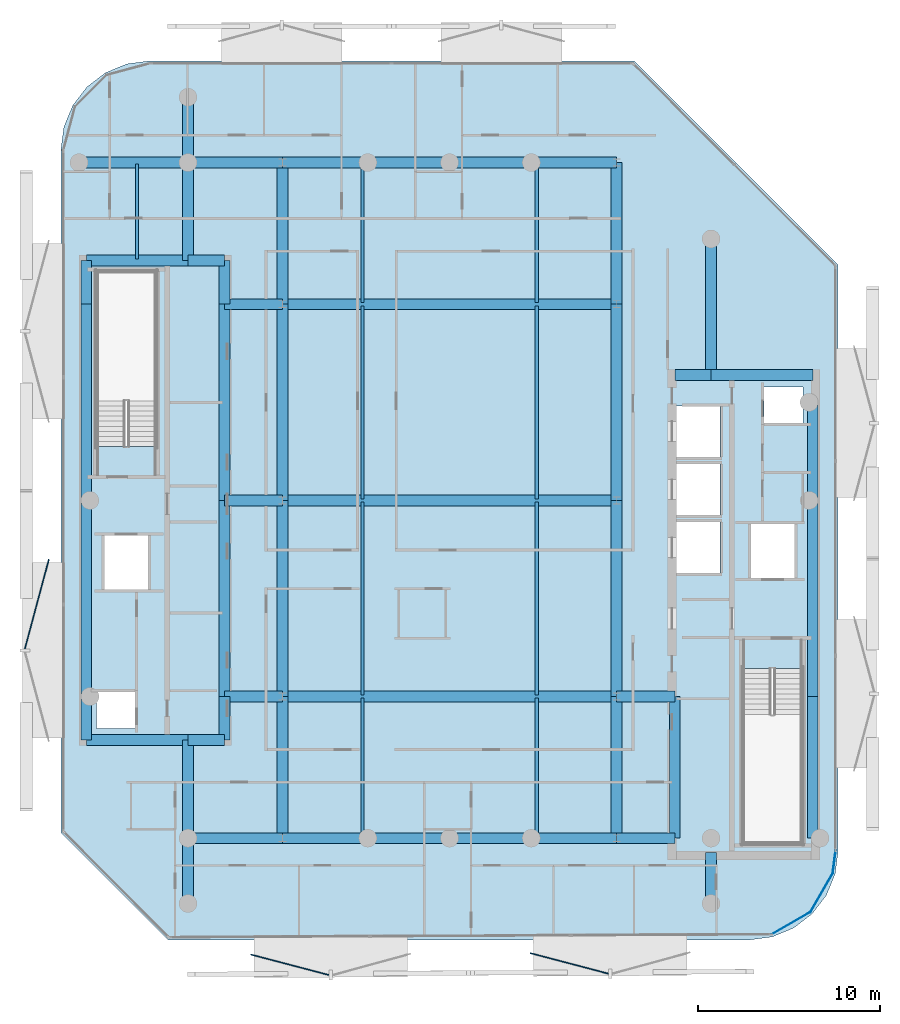
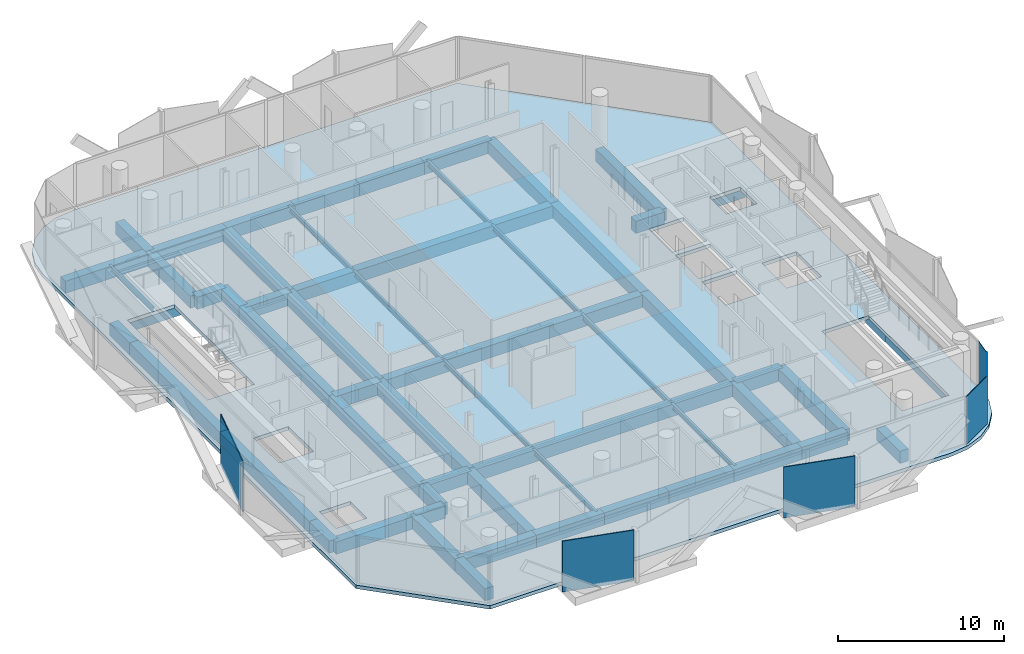
# One storey, part 3 of 15: 60 beams, 6 plates, 1 slab.
"""IFC4 building model written with IfcOpenShell, lengths in metres."""

from ifc_helpers import new_model, si_unit, direction, frame, origin, origin_2d, place, context, subcontext, project, spatial, polyline, rectangle, i_section, outline, extrude, material, layer, layer_set, material_profile, profile_set, type_object, element, save


model = new_model("IFC4")

# Units and contexts
model_context = context("Model", 3, precision=1e-05, world=origin(), true_north=direction((0.0, 1.0)))
body_context = subcontext(model_context, "Body", "Model", "MODEL_VIEW")
ifc_project = project(units=[si_unit("LENGTHUNIT", "METRE"), si_unit("AREAUNIT", "SQUARE_METRE"), si_unit("VOLUMEUNIT", "CUBIC_METRE"), si_unit("PLANEANGLEUNIT", "RADIAN"), si_unit("MASSUNIT", "GRAM", prefix="KILO")], contexts=[model_context])

# Site, building, storey
site_placement = place(None, origin())
site = spatial("IfcSite", under=ifc_project, at=site_placement, CompositionType="ELEMENT")
building_placement = place(site_placement, origin())
building = spatial("IfcBuilding", under=site, at=building_placement, Name="Khairoan Windgate Tower", CompositionType="ELEMENT")
storey_placement = place(building_placement, frame((0.0, 0.0, 285.199951171875)))
storey = spatial("IfcBuildingStorey", under=building, at=storey_placement, Name="L68", CompositionType="ELEMENT", Elevation=285.199951171875)

# Beams
ifc_material_1 = material(Name="Concrete C50/60", Category="concrete")
ifc_material_profile_1 = material_profile(ifc_material_1, rectangle(XDim=0.60009765625, YDim=0.89990234375, at=origin_2d()))
ifc_profile_set_1 = profile_set([ifc_material_profile_1], Name="Concrete C50/60")
beam_type_1 = type_object("IfcBeamType", Name="Beam B-RC1 RC600x900", PredefinedType="BEAM", material=ifc_profile_set_1)
beam_1_placement = place(storey_placement, frame((-14.39990234375, -18.60009765625, -0.7099609375), z_axis=(1.0, 0.0, 0.0), x_axis=(0.0, 1.0, 0.0)))
element("IfcBeam", 1, at=beam_1_placement, inside=storey, type_object=beam_type_1, Name="L68 E-W Primary Girder 01", PredefinedType="BEAM", context=body_context, shape_type="SweptSolid", body=[
    extrude(rectangle(XDim=0.60009765625, YDim=0.89990234375, at=origin_2d()), origin(), (0.0, 0.0, 1.0), 5.199951171875),
])
beam_2_placement = place(storey_placement, frame((-9.199951171875, -18.60009765625, -0.7099609375), z_axis=(1.0, 0.0, 0.0), x_axis=(0.0, 1.0, 0.0)))
element("IfcBeam", 2, at=beam_2_placement, inside=storey, type_object=beam_type_1, Name="L68 E-W Primary Girder 02", PredefinedType="BEAM", context=body_context, shape_type="SweptSolid", body=[
    extrude(rectangle(XDim=0.60009765625, YDim=0.89990234375, at=origin_2d()), origin(), (0.0, 0.0, 1.0), 4.699951171875),
])
for number, where, z_axis, x_axis, name in (
    (3, (-4.5, -18.60009765625, -0.7099609375), (1.0, 0.0, 0.0), (0.0, 1.0, 0.0), "L68 E-W Primary Girder 03"),
    (4, (0.0, -18.60009765625, -0.7099609375), (1.0, 0.0, 0.0), (0.0, 1.0, 0.0), "L68 E-W Primary Girder 04"),
):
    element("IfcBeam", number, at=place(storey_placement, frame(where, z_axis=z_axis, x_axis=x_axis)), inside=storey, type_object=beam_type_1, Name=name, PredefinedType="BEAM", context=body_context, shape_type="SweptSolid", body=[
        extrude(rectangle(XDim=0.60009765625, YDim=0.89990234375, at=origin_2d()), origin(), (0.0, 0.0, 1.0), 4.5),
    ])
beam_3_placement = place(storey_placement, frame((4.5, -18.60009765625, -0.7099609375), z_axis=(1.0, 0.0, 0.0), x_axis=(0.0, 1.0, 0.0)))
element("IfcBeam", 5, at=beam_3_placement, inside=storey, type_object=beam_type_1, Name="L68 E-W Primary Girder 05", PredefinedType="BEAM", context=body_context, shape_type="SweptSolid", body=[
    extrude(rectangle(XDim=0.60009765625, YDim=0.89990234375, at=origin_2d()), origin(), (0.0, 0.0, 1.0), 4.699951171875),
])
beam_4_placement = place(storey_placement, frame((9.199951171875, -18.60009765625, -0.7099609375), z_axis=(1.0, 0.0, 0.0), x_axis=(0.0, 1.0, 0.0)))
element("IfcBeam", 6, at=beam_4_placement, inside=storey, type_object=beam_type_1, Name="L68 E-W Primary Girder 06", PredefinedType="BEAM", context=body_context, shape_type="SweptSolid", body=[
    extrude(rectangle(XDim=0.60009765625, YDim=0.89990234375, at=origin_2d()), origin(), (0.0, 0.0, 1.0), 3.199951171875),
])
beam_5_placement = place(storey_placement, frame((-20.0, -13.199951171875, -0.7099609375), z_axis=(1.0, 0.0, 0.0), x_axis=(0.0, 1.0, 0.0)))
element("IfcBeam", 7, at=beam_5_placement, inside=storey, type_object=beam_type_1, Name="L68 E-W Primary Girder 07", PredefinedType="BEAM", context=body_context, shape_type="SweptSolid", body=[
    extrude(rectangle(XDim=0.60009765625, YDim=0.89990234375, at=origin_2d()), origin(), (0.0, 0.0, 1.0), 5.60009765625),
])
beam_6_placement = place(storey_placement, frame((-14.39990234375, -13.199951171875, -0.7099609375), z_axis=(1.0, 0.0, 0.0), x_axis=(0.0, 1.0, 0.0)))
element("IfcBeam", 8, at=beam_6_placement, inside=storey, type_object=beam_type_1, Name="L68 E-W Primary Girder 08", PredefinedType="BEAM", context=body_context, shape_type="SweptSolid", body=[
    extrude(rectangle(XDim=0.60009765625, YDim=0.89990234375, at=origin_2d()), origin(), (0.0, 0.0, 1.0), 2.0),
])
beam_7_placement = place(storey_placement, frame((-12.39990234375, -10.800048828125, -0.7099609375), z_axis=(1.0, 0.0, 0.0), x_axis=(0.0, 1.0, 0.0)))
element("IfcBeam", 9, at=beam_7_placement, inside=storey, type_object=beam_type_1, Name="L68 E-W Primary Girder 09", PredefinedType="BEAM", context=body_context, shape_type="SweptSolid", body=[
    extrude(rectangle(XDim=0.60009765625, YDim=0.89990234375, at=origin_2d()), origin(), (0.0, 0.0, 1.0), 3.199951171875),
])
beam_8_placement = place(storey_placement, frame((-9.199951171875, -10.800048828125, -0.7099609375), z_axis=(1.0, 0.0, 0.0), x_axis=(0.0, 1.0, 0.0)))
element("IfcBeam", 10, at=beam_8_placement, inside=storey, type_object=beam_type_1, Name="L68 E-W Primary Girder 10", PredefinedType="BEAM", context=body_context, shape_type="SweptSolid", body=[
    extrude(rectangle(XDim=0.60009765625, YDim=0.89990234375, at=origin_2d()), origin(), (0.0, 0.0, 1.0), 18.39990234375),
])
for number, where, z_axis, x_axis, name in (
    (11, (9.199951171875, -10.800048828125, -0.7099609375), (1.0, 0.0, 0.0), (0.0, 1.0, 0.0), "L68 E-W Primary Girder 11"),
    (12, (-12.39990234375, 0.0, -0.7099609375), (1.0, 0.0, 0.0), (0.0, 1.0, 0.0), "L68 E-W Primary Girder 12"),
):
    element("IfcBeam", number, at=place(storey_placement, frame(where, z_axis=z_axis, x_axis=x_axis)), inside=storey, type_object=beam_type_1, Name=name, PredefinedType="BEAM", context=body_context, shape_type="SweptSolid", body=[
        extrude(rectangle(XDim=0.60009765625, YDim=0.89990234375, at=origin_2d()), origin(), (0.0, 0.0, 1.0), 3.199951171875),
    ])
beam_9_placement = place(storey_placement, frame((-9.199951171875, 0.0, -0.7099609375), z_axis=(1.0, 0.0, 0.0), x_axis=(0.0, 1.0, 0.0)))
element("IfcBeam", 13, at=beam_9_placement, inside=storey, type_object=beam_type_1, Name="L68 E-W Primary Girder 13", PredefinedType="BEAM", context=body_context, shape_type="SweptSolid", body=[
    extrude(rectangle(XDim=0.60009765625, YDim=0.89990234375, at=origin_2d()), origin(), (0.0, 0.0, 1.0), 18.39990234375),
])
beam_10_placement = place(storey_placement, frame((12.39990234375, 6.89990234375, -0.7099609375), z_axis=(1.0, 0.0, 0.0), x_axis=(0.0, 1.0, 0.0)))
element("IfcBeam", 14, at=beam_10_placement, inside=storey, type_object=beam_type_1, Name="L68 E-W Primary Girder 14", PredefinedType="BEAM", context=body_context, shape_type="SweptSolid", body=[
    extrude(rectangle(XDim=0.60009765625, YDim=0.89990234375, at=origin_2d()), origin(), (0.0, 0.0, 1.0), 2.0),
])
beam_11_placement = place(storey_placement, frame((14.39990234375, 6.89990234375, -0.7099609375), z_axis=(1.0, 0.0, 0.0), x_axis=(0.0, 1.0, 0.0)))
element("IfcBeam", 15, at=beam_11_placement, inside=storey, type_object=beam_type_1, Name="L68 E-W Primary Girder 15", PredefinedType="BEAM", context=body_context, shape_type="SweptSolid", body=[
    extrude(rectangle(XDim=0.60009765625, YDim=0.89990234375, at=origin_2d()), origin(), (0.0, 0.0, 1.0), 5.60009765625),
])
beam_12_placement = place(storey_placement, frame((-12.39990234375, 10.800048828125, -0.7099609375), z_axis=(1.0, 0.0, 0.0), x_axis=(0.0, 1.0, 0.0)))
element("IfcBeam", 16, at=beam_12_placement, inside=storey, type_object=beam_type_1, Name="L68 E-W Primary Girder 16", PredefinedType="BEAM", context=body_context, shape_type="SweptSolid", body=[
    extrude(rectangle(XDim=0.60009765625, YDim=0.89990234375, at=origin_2d()), origin(), (0.0, 0.0, 1.0), 3.199951171875),
])
beam_13_placement = place(storey_placement, frame((-9.199951171875, 10.800048828125, -0.7099609375), z_axis=(1.0, 0.0, 0.0), x_axis=(0.0, 1.0, 0.0)))
element("IfcBeam", 17, at=beam_13_placement, inside=storey, type_object=beam_type_1, Name="L68 E-W Primary Girder 17", PredefinedType="BEAM", context=body_context, shape_type="SweptSolid", body=[
    extrude(rectangle(XDim=0.60009765625, YDim=0.89990234375, at=origin_2d()), origin(), (0.0, 0.0, 1.0), 18.39990234375),
])
beam_14_placement = place(storey_placement, frame((-20.0, 13.199951171875, -0.7099609375), z_axis=(1.0, 0.0, 0.0), x_axis=(0.0, 1.0, 0.0)))
element("IfcBeam", 18, at=beam_14_placement, inside=storey, type_object=beam_type_1, Name="L68 E-W Primary Girder 18", PredefinedType="BEAM", context=body_context, shape_type="SweptSolid", body=[
    extrude(rectangle(XDim=0.60009765625, YDim=0.89990234375, at=origin_2d()), origin(), (0.0, 0.0, 1.0), 5.60009765625),
])
beam_15_placement = place(storey_placement, frame((-14.39990234375, 13.199951171875, -0.7099609375), z_axis=(1.0, 0.0, 0.0), x_axis=(0.0, 1.0, 0.0)))
element("IfcBeam", 19, at=beam_15_placement, inside=storey, type_object=beam_type_1, Name="L68 E-W Primary Girder 19", PredefinedType="BEAM", context=body_context, shape_type="SweptSolid", body=[
    extrude(rectangle(XDim=0.60009765625, YDim=0.89990234375, at=origin_2d()), origin(), (0.0, 0.0, 1.0), 2.0),
])
beam_16_placement = place(storey_placement, frame((-20.39990234375, 18.60009765625, -0.7099609375), z_axis=(1.0, 0.0, 0.0), x_axis=(0.0, 1.0, 0.0)))
element("IfcBeam", 20, at=beam_16_placement, inside=storey, type_object=beam_type_1, Name="L68 E-W Primary Girder 20", PredefinedType="BEAM", context=body_context, shape_type="SweptSolid", body=[
    extrude(rectangle(XDim=0.60009765625, YDim=0.89990234375, at=origin_2d()), origin(), (0.0, 0.0, 1.0), 6.0),
])
beam_17_placement = place(storey_placement, frame((-14.39990234375, 18.60009765625, -0.7099609375), z_axis=(1.0, 0.0, 0.0), x_axis=(0.0, 1.0, 0.0)))
element("IfcBeam", 21, at=beam_17_placement, inside=storey, type_object=beam_type_1, Name="L68 E-W Primary Girder 21", PredefinedType="BEAM", context=body_context, shape_type="SweptSolid", body=[
    extrude(rectangle(XDim=0.60009765625, YDim=0.89990234375, at=origin_2d()), origin(), (0.0, 0.0, 1.0), 5.199951171875),
])
beam_18_placement = place(storey_placement, frame((-9.199951171875, 18.60009765625, -0.7099609375), z_axis=(1.0, 0.0, 0.0), x_axis=(0.0, 1.0, 0.0)))
element("IfcBeam", 22, at=beam_18_placement, inside=storey, type_object=beam_type_1, Name="L68 E-W Primary Girder 22", PredefinedType="BEAM", context=body_context, shape_type="SweptSolid", body=[
    extrude(rectangle(XDim=0.60009765625, YDim=0.89990234375, at=origin_2d()), origin(), (0.0, 0.0, 1.0), 4.699951171875),
])
for number, where, z_axis, x_axis, name in (
    (23, (-4.5, 18.60009765625, -0.7099609375), (1.0, 0.0, 0.0), (0.0, 1.0, 0.0), "L68 E-W Primary Girder 23"),
    (24, (0.0, 18.60009765625, -0.7099609375), (1.0, 0.0, 0.0), (0.0, 1.0, 0.0), "L68 E-W Primary Girder 24"),
):
    element("IfcBeam", number, at=place(storey_placement, frame(where, z_axis=z_axis, x_axis=x_axis)), inside=storey, type_object=beam_type_1, Name=name, PredefinedType="BEAM", context=body_context, shape_type="SweptSolid", body=[
        extrude(rectangle(XDim=0.60009765625, YDim=0.89990234375, at=origin_2d()), origin(), (0.0, 0.0, 1.0), 4.5),
    ])
beam_19_placement = place(storey_placement, frame((4.5, 18.60009765625, -0.7099609375), z_axis=(1.0, 0.0, 0.0), x_axis=(0.0, 1.0, 0.0)))
element("IfcBeam", 25, at=beam_19_placement, inside=storey, type_object=beam_type_1, Name="L68 E-W Primary Girder 25", PredefinedType="BEAM", context=body_context, shape_type="SweptSolid", body=[
    extrude(rectangle(XDim=0.60009765625, YDim=0.89990234375, at=origin_2d()), origin(), (0.0, 0.0, 1.0), 4.699951171875),
])
beam_20_placement = place(storey_placement, frame((-20.0, -13.199951171875, -0.7099609375), z_axis=(0.0, 1.0, 0.0), x_axis=(-1.0, 0.0, 0.0)))
element("IfcBeam", 26, at=beam_20_placement, inside=storey, type_object=beam_type_1, Name="L68 N-S Primary Beam 26", PredefinedType="BEAM", context=body_context, shape_type="SweptSolid", body=[
    extrude(rectangle(XDim=0.60009765625, YDim=0.89990234375, at=origin_2d()), origin(), (0.0, 0.0, 1.0), 2.39990234375),
])
for number, where, z_axis, x_axis, name in (
    (27, (-20.0, -10.800048828125, -0.7099609375), (0.0, 1.0, 0.0), (-1.0, 0.0, 0.0), "L68 N-S Primary Beam 27"),
    (28, (-20.0, 0.0, -0.7099609375), (0.0, 1.0, 0.0), (-1.0, 0.0, 0.0), "L68 N-S Primary Beam 28"),
):
    element("IfcBeam", number, at=place(storey_placement, frame(where, z_axis=z_axis, x_axis=x_axis)), inside=storey, type_object=beam_type_1, Name=name, PredefinedType="BEAM", context=body_context, shape_type="SweptSolid", body=[
        extrude(rectangle(XDim=0.60009765625, YDim=0.89990234375, at=origin_2d()), origin(), (0.0, 0.0, 1.0), 10.800048828125),
    ])
beam_21_placement = place(storey_placement, frame((-20.0, 10.800048828125, -0.7099609375), z_axis=(0.0, 1.0, 0.0), x_axis=(-1.0, 0.0, 0.0)))
element("IfcBeam", 29, at=beam_21_placement, inside=storey, type_object=beam_type_1, Name="L68 N-S Primary Beam 29", PredefinedType="BEAM", context=body_context, shape_type="SweptSolid", body=[
    extrude(rectangle(XDim=0.60009765625, YDim=0.89990234375, at=origin_2d()), origin(), (0.0, 0.0, 1.0), 2.39990234375),
])
beam_22_placement = place(storey_placement, frame((-14.39990234375, -22.199951171875, -0.7099609375), z_axis=(0.0, 1.0, 0.0), x_axis=(-1.0, 0.0, 0.0)))
element("IfcBeam", 30, at=beam_22_placement, inside=storey, type_object=beam_type_1, Name="L68 N-S Primary Beam 30", PredefinedType="BEAM", context=body_context, shape_type="SweptSolid", body=[
    extrude(rectangle(XDim=0.60009765625, YDim=0.89990234375, at=origin_2d()), origin(), (0.0, 0.0, 1.0), 3.599853515625),
])
for number, where, z_axis, x_axis, name in (
    (31, (-14.39990234375, -18.60009765625, -0.7099609375), (0.0, 1.0, 0.0), (-1.0, 0.0, 0.0), "L68 N-S Primary Beam 31"),
    (32, (-14.39990234375, 13.199951171875, -0.7099609375), (0.0, 1.0, 0.0), (-1.0, 0.0, 0.0), "L68 N-S Primary Beam 32"),
):
    element("IfcBeam", number, at=place(storey_placement, frame(where, z_axis=z_axis, x_axis=x_axis)), inside=storey, type_object=beam_type_1, Name=name, PredefinedType="BEAM", context=body_context, shape_type="SweptSolid", body=[
        extrude(rectangle(XDim=0.60009765625, YDim=0.89990234375, at=origin_2d()), origin(), (0.0, 0.0, 1.0), 5.400146484375),
    ])
beam_23_placement = place(storey_placement, frame((-14.39990234375, 18.60009765625, -0.7099609375), z_axis=(0.0, 1.0, 0.0), x_axis=(-1.0, 0.0, 0.0)))
element("IfcBeam", 33, at=beam_23_placement, inside=storey, type_object=beam_type_1, Name="L68 N-S Primary Beam 33", PredefinedType="BEAM", context=body_context, shape_type="SweptSolid", body=[
    extrude(rectangle(XDim=0.60009765625, YDim=0.89990234375, at=origin_2d()), origin(), (0.0, 0.0, 1.0), 3.599853515625),
])
beam_24_placement = place(storey_placement, frame((-12.39990234375, -13.199951171875, -0.7099609375), z_axis=(0.0, 1.0, 0.0), x_axis=(-1.0, 0.0, 0.0)))
element("IfcBeam", 34, at=beam_24_placement, inside=storey, type_object=beam_type_1, Name="L68 N-S Primary Beam 34", PredefinedType="BEAM", context=body_context, shape_type="SweptSolid", body=[
    extrude(rectangle(XDim=0.60009765625, YDim=0.89990234375, at=origin_2d()), origin(), (0.0, 0.0, 1.0), 2.39990234375),
])
for number, where, z_axis, x_axis, name in (
    (35, (-12.39990234375, -10.800048828125, -0.7099609375), (0.0, 1.0, 0.0), (-1.0, 0.0, 0.0), "L68 N-S Primary Beam 35"),
    (36, (-12.39990234375, 0.0, -0.7099609375), (0.0, 1.0, 0.0), (-1.0, 0.0, 0.0), "L68 N-S Primary Beam 36"),
):
    element("IfcBeam", number, at=place(storey_placement, frame(where, z_axis=z_axis, x_axis=x_axis)), inside=storey, type_object=beam_type_1, Name=name, PredefinedType="BEAM", context=body_context, shape_type="SweptSolid", body=[
        extrude(rectangle(XDim=0.60009765625, YDim=0.89990234375, at=origin_2d()), origin(), (0.0, 0.0, 1.0), 10.800048828125),
    ])
beam_25_placement = place(storey_placement, frame((-12.39990234375, 10.800048828125, -0.7099609375), z_axis=(0.0, 1.0, 0.0), x_axis=(-1.0, 0.0, 0.0)))
element("IfcBeam", 37, at=beam_25_placement, inside=storey, type_object=beam_type_1, Name="L68 N-S Primary Beam 37", PredefinedType="BEAM", context=body_context, shape_type="SweptSolid", body=[
    extrude(rectangle(XDim=0.60009765625, YDim=0.89990234375, at=origin_2d()), origin(), (0.0, 0.0, 1.0), 2.39990234375),
])
beam_26_placement = place(storey_placement, frame((-9.199951171875, -18.60009765625, -0.7099609375), z_axis=(0.0, 1.0, 0.0), x_axis=(-1.0, 0.0, 0.0)))
element("IfcBeam", 38, at=beam_26_placement, inside=storey, type_object=beam_type_1, Name="L68 N-S Primary Beam 38", PredefinedType="BEAM", context=body_context, shape_type="SweptSolid", body=[
    extrude(rectangle(XDim=0.60009765625, YDim=0.89990234375, at=origin_2d()), origin(), (0.0, 0.0, 1.0), 7.800048828125),
])
for number, where, z_axis, x_axis, name in (
    (39, (-9.199951171875, -10.800048828125, -0.7099609375), (0.0, 1.0, 0.0), (-1.0, 0.0, 0.0), "L68 N-S Primary Beam 39"),
    (40, (-9.199951171875, 0.0, -0.7099609375), (0.0, 1.0, 0.0), (-1.0, 0.0, 0.0), "L68 N-S Primary Beam 40"),
):
    element("IfcBeam", number, at=place(storey_placement, frame(where, z_axis=z_axis, x_axis=x_axis)), inside=storey, type_object=beam_type_1, Name=name, PredefinedType="BEAM", context=body_context, shape_type="SweptSolid", body=[
        extrude(rectangle(XDim=0.60009765625, YDim=0.89990234375, at=origin_2d()), origin(), (0.0, 0.0, 1.0), 10.800048828125),
    ])
for number, where, z_axis, x_axis, name in (
    (41, (-9.199951171875, 10.800048828125, -0.7099609375), (0.0, 1.0, 0.0), (-1.0, 0.0, 0.0), "L68 N-S Primary Beam 41"),
    (42, (9.199951171875, -18.60009765625, -0.7099609375), (0.0, 1.0, 0.0), (-1.0, 0.0, 0.0), "L68 N-S Primary Beam 42"),
):
    element("IfcBeam", number, at=place(storey_placement, frame(where, z_axis=z_axis, x_axis=x_axis)), inside=storey, type_object=beam_type_1, Name=name, PredefinedType="BEAM", context=body_context, shape_type="SweptSolid", body=[
        extrude(rectangle(XDim=0.60009765625, YDim=0.89990234375, at=origin_2d()), origin(), (0.0, 0.0, 1.0), 7.800048828125),
    ])
for number, where, z_axis, x_axis, name in (
    (43, (9.199951171875, -10.800048828125, -0.7099609375), (0.0, 1.0, 0.0), (-1.0, 0.0, 0.0), "L68 N-S Primary Beam 43"),
    (44, (9.199951171875, 0.0, -0.7099609375), (0.0, 1.0, 0.0), (-1.0, 0.0, 0.0), "L68 N-S Primary Beam 44"),
):
    element("IfcBeam", number, at=place(storey_placement, frame(where, z_axis=z_axis, x_axis=x_axis)), inside=storey, type_object=beam_type_1, Name=name, PredefinedType="BEAM", context=body_context, shape_type="SweptSolid", body=[
        extrude(rectangle(XDim=0.60009765625, YDim=0.89990234375, at=origin_2d()), origin(), (0.0, 0.0, 1.0), 10.800048828125),
    ])
for number, where, z_axis, x_axis, name in (
    (45, (9.199951171875, 10.800048828125, -0.7099609375), (0.0, 1.0, 0.0), (-1.0, 0.0, 0.0), "L68 N-S Primary Beam 45"),
    (46, (12.39990234375, -18.60009765625, -0.7099609375), (0.0, 1.0, 0.0), (-1.0, 0.0, 0.0), "L68 N-S Primary Beam 46"),
):
    element("IfcBeam", number, at=place(storey_placement, frame(where, z_axis=z_axis, x_axis=x_axis)), inside=storey, type_object=beam_type_1, Name=name, PredefinedType="BEAM", context=body_context, shape_type="SweptSolid", body=[
        extrude(rectangle(XDim=0.60009765625, YDim=0.89990234375, at=origin_2d()), origin(), (0.0, 0.0, 1.0), 7.800048828125),
    ])
beam_27_placement = place(storey_placement, frame((14.39990234375, -22.199951171875, -0.7099609375), z_axis=(0.0, 1.0, 0.0), x_axis=(-1.0, 0.0, 0.0)))
element("IfcBeam", 47, at=beam_27_placement, inside=storey, type_object=beam_type_1, Name="L68 N-S Primary Beam 47", PredefinedType="BEAM", context=body_context, shape_type="SweptSolid", body=[
    extrude(rectangle(XDim=0.60009765625, YDim=0.89990234375, at=origin_2d()), origin(), (0.0, 0.0, 1.0), 2.800048828125),
])
beam_28_placement = place(storey_placement, frame((14.39990234375, 6.89990234375, -0.7099609375), z_axis=(0.0, 1.0, 0.0), x_axis=(-1.0, 0.0, 0.0)))
element("IfcBeam", 48, at=beam_28_placement, inside=storey, type_object=beam_type_1, Name="L68 N-S Primary Beam 48", PredefinedType="BEAM", context=body_context, shape_type="SweptSolid", body=[
    extrude(rectangle(XDim=0.60009765625, YDim=0.89990234375, at=origin_2d()), origin(), (0.0, 0.0, 1.0), 7.5),
])
beam_29_placement = place(storey_placement, frame((20.0, -18.60009765625, -0.7099609375), z_axis=(0.0, 1.0, 0.0), x_axis=(-1.0, 0.0, 0.0)))
element("IfcBeam", 49, at=beam_29_placement, inside=storey, type_object=beam_type_1, Name="L68 N-S Primary Beam 49", PredefinedType="BEAM", context=body_context, shape_type="SweptSolid", body=[
    extrude(rectangle(XDim=0.60009765625, YDim=0.89990234375, at=origin_2d()), origin(), (0.0, 0.0, 1.0), 7.800048828125),
])
beam_30_placement = place(storey_placement, frame((20.0, -10.800048828125, -0.7099609375), z_axis=(0.0, 1.0, 0.0), x_axis=(-1.0, 0.0, 0.0)))
element("IfcBeam", 50, at=beam_30_placement, inside=storey, type_object=beam_type_1, Name="L68 N-S Primary Beam 50", PredefinedType="BEAM", context=body_context, shape_type="SweptSolid", body=[
    extrude(rectangle(XDim=0.60009765625, YDim=0.89990234375, at=origin_2d()), origin(), (0.0, 0.0, 1.0), 10.800048828125),
])
beam_31_placement = place(storey_placement, frame((20.0, 0.0, -0.7099609375), z_axis=(0.0, 1.0, 0.0), x_axis=(-1.0, 0.0, 0.0)))
element("IfcBeam", 51, at=beam_31_placement, inside=storey, type_object=beam_type_1, Name="L68 N-S Primary Beam 51", PredefinedType="BEAM", context=body_context, shape_type="SweptSolid", body=[
    extrude(rectangle(XDim=0.60009765625, YDim=0.89990234375, at=origin_2d()), origin(), (0.0, 0.0, 1.0), 5.39990234375),
])
ifc_material_2 = material(Name="Steel S355", Category="steel")
ifc_material_profile_2 = material_profile(ifc_material_2, i_section(OverallWidth=0.175048828125, OverallDepth=0.35009765625, WebThickness=0.007080078125, FlangeThickness=0.010986328125, FilletRadius=0.013916015625, at=origin_2d()))
ifc_profile_set_2 = profile_set([ifc_material_profile_2], Name="Steel S355")
beam_type_2 = type_object("IfcBeamType", Name="Beam J-S5 H350x175x7x11", PredefinedType="JOIST", material=ifc_profile_set_2)
beam_32_placement = place(storey_placement, frame((-17.199951171875, 13.2900390625, -0.43505859375), z_axis=(0.0, 1.0, 0.0), x_axis=(-1.0, 0.0, 0.0)))
element("IfcBeam", 52, at=beam_32_placement, inside=storey, type_object=beam_type_2, Name="L68 Secondary Floor Joist 01", PredefinedType="JOIST", context=body_context, shape_type="SweptSolid", body=[
    extrude(i_section(OverallWidth=0.175048828125, OverallDepth=0.35009765625, WebThickness=0.007080078125, FlangeThickness=0.010986328125, FilletRadius=0.013916015625, at=origin_2d()), origin(), (0.0, 0.0, 1.0), 5.219970703125),
])
beam_33_placement = place(storey_placement, frame((-4.800048828125, -18.510009765625, -0.43505859375), z_axis=(0.0, 1.0, 0.0), x_axis=(-1.0, 0.0, 0.0)))
element("IfcBeam", 53, at=beam_33_placement, inside=storey, type_object=beam_type_2, Name="L68 Secondary Floor Joist 02", PredefinedType="JOIST", context=body_context, shape_type="SweptSolid", body=[
    extrude(i_section(OverallWidth=0.175048828125, OverallDepth=0.35009765625, WebThickness=0.007080078125, FlangeThickness=0.010986328125, FilletRadius=0.013916015625, at=origin_2d()), origin(), (0.0, 0.0, 1.0), 7.6201171875),
])
for number, where, z_axis, x_axis, name in (
    (54, (-4.800048828125, -10.7099609375, -0.43505859375), (0.0, 1.0, 0.0), (-1.0, 0.0, 0.0), "L68 Secondary Floor Joist 03"),
    (55, (-4.800048828125, 0.090087890625, -0.43505859375), (0.0, 1.0, 0.0), (-1.0, 0.0, 0.0), "L68 Secondary Floor Joist 04"),
):
    element("IfcBeam", number, at=place(storey_placement, frame(where, z_axis=z_axis, x_axis=x_axis)), inside=storey, type_object=beam_type_2, Name=name, PredefinedType="JOIST", context=body_context, shape_type="SweptSolid", body=[
        extrude(i_section(OverallWidth=0.175048828125, OverallDepth=0.35009765625, WebThickness=0.007080078125, FlangeThickness=0.010986328125, FilletRadius=0.013916015625, at=origin_2d()), origin(), (0.0, 0.0, 1.0), 10.619873046875),
    ])
for number, where, z_axis, x_axis, name in (
    (56, (-4.800048828125, 10.889892578125, -0.43505859375), (0.0, 1.0, 0.0), (-1.0, 0.0, 0.0), "L68 Secondary Floor Joist 05"),
    (57, (4.800048828125, -18.510009765625, -0.43505859375), (0.0, 1.0, 0.0), (-1.0, 0.0, 0.0), "L68 Secondary Floor Joist 06"),
):
    element("IfcBeam", number, at=place(storey_placement, frame(where, z_axis=z_axis, x_axis=x_axis)), inside=storey, type_object=beam_type_2, Name=name, PredefinedType="JOIST", context=body_context, shape_type="SweptSolid", body=[
        extrude(i_section(OverallWidth=0.175048828125, OverallDepth=0.35009765625, WebThickness=0.007080078125, FlangeThickness=0.010986328125, FilletRadius=0.013916015625, at=origin_2d()), origin(), (0.0, 0.0, 1.0), 7.6201171875),
    ])
for number, where, z_axis, x_axis, name in (
    (58, (4.800048828125, -10.7099609375, -0.43505859375), (0.0, 1.0, 0.0), (-1.0, 0.0, 0.0), "L68 Secondary Floor Joist 07"),
    (59, (4.800048828125, 0.090087890625, -0.43505859375), (0.0, 1.0, 0.0), (-1.0, 0.0, 0.0), "L68 Secondary Floor Joist 08"),
):
    element("IfcBeam", number, at=place(storey_placement, frame(where, z_axis=z_axis, x_axis=x_axis)), inside=storey, type_object=beam_type_2, Name=name, PredefinedType="JOIST", context=body_context, shape_type="SweptSolid", body=[
        extrude(i_section(OverallWidth=0.175048828125, OverallDepth=0.35009765625, WebThickness=0.007080078125, FlangeThickness=0.010986328125, FilletRadius=0.013916015625, at=origin_2d()), origin(), (0.0, 0.0, 1.0), 10.619873046875),
    ])
beam_34_placement = place(storey_placement, frame((4.800048828125, 10.889892578125, -0.43505859375), z_axis=(0.0, 1.0, 0.0), x_axis=(-1.0, 0.0, 0.0)))
element("IfcBeam", 60, at=beam_34_placement, inside=storey, type_object=beam_type_2, Name="L68 Secondary Floor Joist 09", PredefinedType="JOIST", context=body_context, shape_type="SweptSolid", body=[
    extrude(i_section(OverallWidth=0.175048828125, OverallDepth=0.35009765625, WebThickness=0.007080078125, FlangeThickness=0.010986328125, FilletRadius=0.013916015625, at=origin_2d()), origin(), (0.0, 0.0, 1.0), 7.6201171875),
])

# Plates
ifc_material_3 = material(Name="Low-E Solar Control Laminated Glass", Category="glass")
ifc_layer_1 = layer(ifc_material_3, 0.030029296875, Name="Low-E Solar Control Laminated Glass")
ifc_layer_set_1 = layer_set([ifc_layer_1], Name="Low-E Solar Control Laminated Glass")
plate_type_1 = type_object("IfcPlateType", Name="Aerodynamic Wind-Corner Curved Glazing Plate", PredefinedType="USERDEFINED", material=ifc_layer_set_1)
plate_1_placement = place(storey_placement, frame((21.17822265625, -19.911376953125, 0.0), z_axis=(0.0, 0.0, 1.0), x_axis=(-0.13052619222, -0.991444861374, 0.0)))
element("IfcPlate", 61, at=plate_1_placement, inside=storey, type_object=plate_type_1, Name="L68 Aerodynamic Wind-Corner Curved Glazing Panel 10", ObjectType="GLAZING PANEL", PredefinedType="USERDEFINED", context=body_context, shape_type="SweptSolid", body=[
    extrude(rectangle(XDim=1.29150390625, YDim=0.035888671875, at=origin_2d()), origin(), (0.0, 0.0, 1.0), 3.5400390625),
])
for number, where, z_axis, x_axis, name in (
    (62, (20.480712890625, -21.598388671875, 0.0), (0.0, 0.0, 1.0), (-0.5, -0.866025403784, 0.0), "L68 Aerodynamic Wind-Corner Curved Glazing Panel 11"),
    (63, (18.79833984375, -23.28076171875, 0.0), (0.0, 0.0, 1.0), (-0.866025403784, -0.5, 0.0), "L68 Aerodynamic Wind-Corner Curved Glazing Panel 12"),
):
    element("IfcPlate", number, at=place(storey_placement, frame(where, z_axis=z_axis, x_axis=x_axis)), inside=storey, type_object=plate_type_1, Name=name, ObjectType="GLAZING PANEL", PredefinedType="USERDEFINED", context=body_context, shape_type="SweptSolid", body=[
        extrude(rectangle(XDim=2.50341796875, YDim=0.035888671875, at=origin_2d()), origin(), (0.0, 0.0, 1.0), 3.5400390625),
    ])
ifc_material_4 = material(Name="Anodised Bronze Aluminium 6063-T6", Category="aluminium")
ifc_layer_2 = layer(ifc_material_4, 0.054931640625, Name="Anodised Bronze Aluminium 6063-T6")
ifc_layer_set_2 = layer_set([ifc_layer_2], Name="Anodised Bronze Aluminium 6063-T6")
plate_type_2 = type_object("IfcPlateType", Name="Perforated Bronze Solar Screen Upper Panel BSP-2", PredefinedType="USERDEFINED", material=ifc_layer_set_2)
for number, where, z_axis, x_axis, name in (
    (64, (6.600830078125, -25.493896484375, -0.10009765625), (0.0, 0.0, 1.0), (-0.967179115616, 0.254095569259, 0.0), "L68 Perforated Bronze Solar Screen Panel 470R"),
    (65, (-8.785888671875, -25.56982421875, -0.10009765625), (0.0, 0.0, 1.0), (-0.967179115616, 0.254095569259, 0.0), "L68 Perforated Bronze Solar Screen Panel 471R"),
):
    element("IfcPlate", number, at=place(storey_placement, frame(where, z_axis=z_axis, x_axis=x_axis)), inside=storey, type_object=plate_type_2, Name=name, ObjectType="SCREEN", PredefinedType="USERDEFINED", context=body_context, shape_type="SweptSolid", body=[
        extrude(rectangle(XDim=4.4619140625, YDim=0.054931640625, at=origin_2d()), origin(), (0.0, 0.0, 1.0), 3.739990234375),
    ])
plate_2_placement = place(storey_placement, frame((-22.720703125, -5.70849609375, -0.10009765625), z_axis=(0.0, 0.0, 1.0), x_axis=(0.258819045103, 0.965925826289, 0.0)))
element("IfcPlate", 66, at=plate_2_placement, inside=storey, type_object=plate_type_2, Name="L68 Perforated Bronze Solar Screen Panel 472R", ObjectType="SCREEN", PredefinedType="USERDEFINED", context=body_context, shape_type="SweptSolid", body=[
    extrude(rectangle(XDim=5.093994140625, YDim=0.054931640625, at=origin_2d()), origin(), (0.0, 0.0, 1.0), 3.739990234375),
])

# Slab
ifc_material_5 = material(Name="Concrete C40/50", Category="concrete")
ifc_layer_3 = layer(ifc_material_5, 0.260009765625, Name="Concrete C40/50")
ifc_layer_set_3 = layer_set([ifc_layer_3], Name="Concrete C40/50")
slab_type = type_object("IfcSlabType", Name="Tower Composite Floor Slab FS2 260mm", PredefinedType="FLOOR", material=ifc_layer_set_3)
slab_placement = place(storey_placement, frame((0.0, 0.0, -0.260009765625)))
element("IfcSlab", 67, at=slab_placement, inside=storey, type_object=slab_type, Name="L68 Structural Floor Slab", PredefinedType="FLOOR", context=body_context, shape_type="SweptSolid", body=[
    extrude(outline(polyline([(16.5, -24.199951171875), (17.768310546875, -24.032958984375), (18.949951171875, -23.54345703125), (19.96484375, -22.764892578125), (20.743408203125, -21.75), (21.23291015625, -20.568115234375), (21.39990234375, -19.300048828125), (21.39990234375, 12.9599609375), (10.159912109375, 24.199951171875), (-16.5, 24.199951171875), (-17.768310546875, 24.032958984375), (-18.949951171875, 23.54345703125), (-19.96484375, 22.764892578125), (-20.743408203125, 21.75), (-21.23291015625, 20.568115234375), (-21.39990234375, 19.300048828125), (-21.39990234375, -18.300048828125), (-15.5, -24.199951171875), (16.5, -24.199951171875)]), holes=[polyline([(16.14990234375, -9.260009765625), (16.14990234375, -18.89990234375), (19.419921875, -18.89990234375), (19.419921875, -9.260009765625), (16.14990234375, -9.260009765625)]), polyline([(-16.14990234375, 2.9599609375), (-16.14990234375, 12.60009765625), (-19.419921875, 12.60009765625), (-19.419921875, 2.9599609375), (-16.14990234375, 2.9599609375)]), polyline([(12.5, 2.39990234375), (14.89990234375, 2.39990234375), (14.89990234375, 5.199951171875), (12.5, 5.199951171875), (12.5, 2.39990234375)]), polyline([(12.5, -0.800048828125), (14.89990234375, -0.800048828125), (14.89990234375, 2.0), (12.5, 2.0), (12.5, -0.800048828125)]), polyline([(12.5, -4.0), (14.89990234375, -4.0), (14.89990234375, -1.199951171875), (12.5, -1.199951171875), (12.5, -4.0)]), polyline([(16.60009765625, -4.300048828125), (19.0, -4.300048828125), (19.0, -1.300048828125), (16.60009765625, -1.300048828125), (16.60009765625, -4.300048828125)]), polyline([(-19.0, -4.89990234375), (-16.60009765625, -4.89990234375), (-16.60009765625, -1.89990234375), (-19.0, -1.89990234375), (-19.0, -4.89990234375)]), polyline([(-19.449951171875, -12.550048828125), (-17.31005859375, -12.550048828125), (-17.31005859375, -10.550048828125), (-19.449951171875, -10.550048828125), (-19.449951171875, -12.550048828125)]), polyline([(17.31005859375, 4.25), (19.449951171875, 4.25), (19.449951171875, 6.25), (17.31005859375, 6.25), (17.31005859375, 4.25)])]), origin(), (0.0, 0.0, 1.0), 0.260009765625),
])

save(model, "model.ifc")
